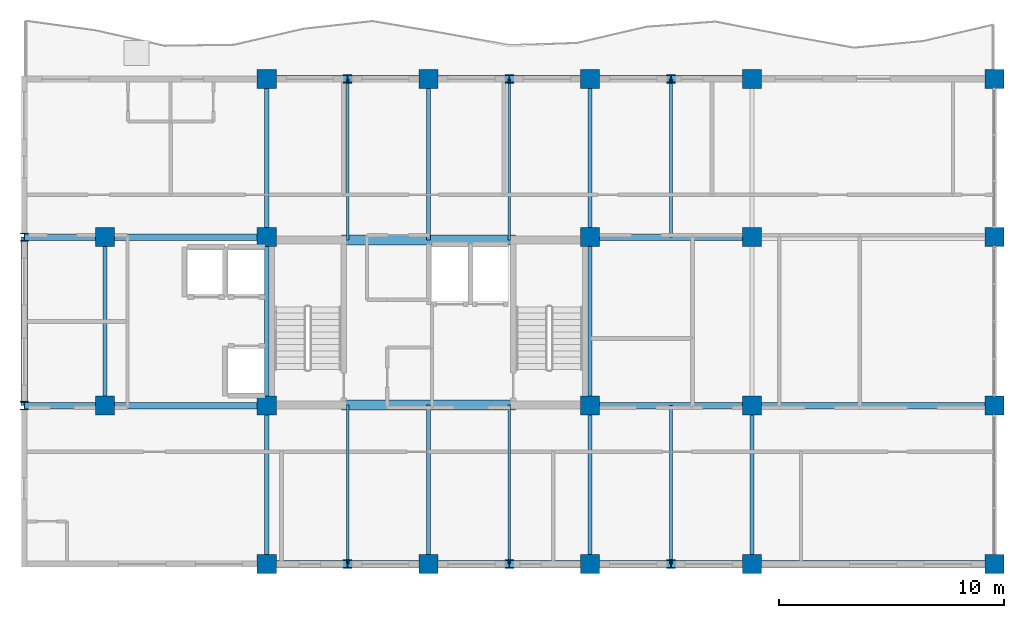
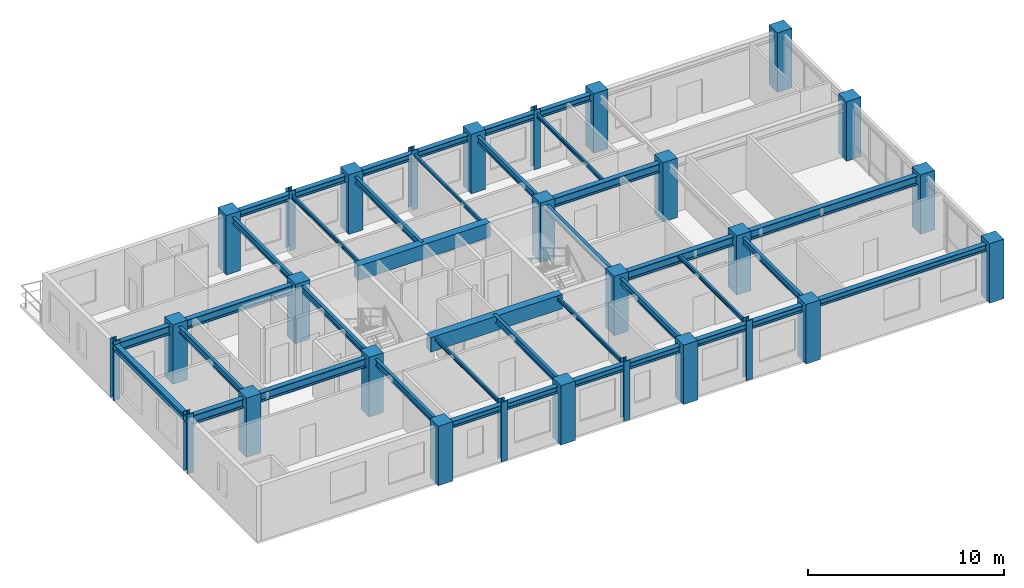
# One storey, part 1 of 11: 39 beams, 28 columns.
"""IFC4 building model written with IfcOpenShell, lengths in metres."""

from ifc_helpers import new_model, si_unit, direction, frame, origin, origin_2d, place, context, subcontext, project, spatial, rectangle, i_section, extrude, source, transform, mapped, material, material_profile, profile_set, type_object, element, save


model = new_model("IFC4")

# Units and contexts
model_context = context("Model", 3, precision=1e-05, world=origin(), true_north=direction((0.0, 1.0)))
body_context = subcontext(model_context, "Body", "Model", "MODEL_VIEW")
ifc_project = project(units=[si_unit("LENGTHUNIT", "METRE"), si_unit("AREAUNIT", "SQUARE_METRE"), si_unit("VOLUMEUNIT", "CUBIC_METRE"), si_unit("PLANEANGLEUNIT", "RADIAN"), si_unit("MASSUNIT", "GRAM", prefix="KILO")], contexts=[model_context])

# Site, building, storey
site_placement = place(None, origin())
site = spatial("IfcSite", under=ifc_project, at=site_placement, CompositionType="ELEMENT")
building_placement = place(site_placement, origin())
building = spatial("IfcBuilding", under=site, at=building_placement, Name="Kaliganga Portal Commons", CompositionType="ELEMENT")
storey_placement = place(building_placement, frame((0.0, 0.0, 268.39990234375)))
storey = spatial("IfcBuildingStorey", under=building, at=storey_placement, Name="L69", CompositionType="ELEMENT", Elevation=268.39990234375)

# Columns
ifc_material_1 = material(Name="Concrete C50/60", Category="concrete")
ifc_material_profile_1 = material_profile(ifc_material_1, rectangle(XDim=0.85009765625, YDim=0.85009765625, at=origin_2d()), Name="RC 850x850")
ifc_profile_set_1 = profile_set([ifc_material_profile_1], Name="Concrete C50/60")
column_type_1 = type_object("IfcColumnType", Name="COL-MEGA-Z5", PredefinedType="COLUMN", material=ifc_profile_set_1)
shared_shape_1 = source(origin(), body_context, "Body", "SweptSolid", [
    extrude(rectangle(XDim=0.85009765625, YDim=0.85009765625, at=origin_2d()), origin(), (0.0, 0.0, 1.0), 3.7001953125),
])
for number, where, z_axis, x_axis, name in (
    (1, (7.199951171875, 28.64990234375, 0.0), (0.0, 0.0, 1.0), (1.0, 0.0, 0.0), "Column MC-06 L69"),
    (2, (7.199951171875, 36.14990234375, 0.0), (0.0, 0.0, 1.0), (1.0, 0.0, 0.0), "Column MC-06 L69"),
    (3, (14.39990234375, 21.60009765625, 0.0), (0.0, 0.0, 1.0), (1.0, 0.0, 0.0), "Column MC-06 L69"),
    (4, (14.39990234375, 28.64990234375, 0.0), (0.0, 0.0, 1.0), (1.0, 0.0, 0.0), "Column MC-06 L69"),
    (5, (14.39990234375, 36.14990234375, 0.0), (0.0, 0.0, 1.0), (1.0, 0.0, 0.0), "Column MC-06 L69"),
    (6, (14.39990234375, 43.199951171875, 0.0), (0.0, 0.0, 1.0), (1.0, 0.0, 0.0), "Column MC-06 L69"),
    (7, (21.60009765625, 21.60009765625, 0.0), (0.0, 0.0, 1.0), (1.0, 0.0, 0.0), "Column MC-06 L69"),
    (8, (21.60009765625, 43.199951171875, 0.0), (0.0, 0.0, 1.0), (1.0, 0.0, 0.0), "Column MC-06 L69"),
    (9, (28.800048828125, 21.60009765625, 0.0), (0.0, 0.0, 1.0), (1.0, 0.0, 0.0), "Column MC-06 L69"),
    (10, (28.800048828125, 28.64990234375, 0.0), (0.0, 0.0, 1.0), (1.0, 0.0, 0.0), "Column MC-06 L69"),
    (11, (28.800048828125, 36.14990234375, 0.0), (0.0, 0.0, 1.0), (1.0, 0.0, 0.0), "Column MC-06 L69"),
    (12, (28.800048828125, 43.199951171875, 0.0), (0.0, 0.0, 1.0), (1.0, 0.0, 0.0), "Column MC-06 L69"),
    (13, (36.0, 21.60009765625, 0.0), (0.0, 0.0, 1.0), (1.0, 0.0, 0.0), "Column MC-06 L69"),
    (14, (36.0, 43.199951171875, 0.0), (0.0, 0.0, 1.0), (1.0, 0.0, 0.0), "Column MC-06 L69"),
    (15, (36.0, 28.64990234375, 0.0), (0.0, 0.0, 1.0), (1.0, 0.0, 0.0), "Column MC-06 L69"),
    (16, (36.0, 36.14990234375, 0.0), (0.0, 0.0, 1.0), (1.0, 0.0, 0.0), "Column MC-06 L69"),
    (17, (46.800048828125, 21.60009765625, 0.0), (0.0, 0.0, 1.0), (1.0, 0.0, 0.0), "Column MC-06 L69"),
    (18, (46.800048828125, 28.64990234375, 0.0), (0.0, 0.0, 1.0), (1.0, 0.0, 0.0), "Column MC-06 L69"),
    (19, (46.800048828125, 36.14990234375, 0.0), (0.0, 0.0, 1.0), (1.0, 0.0, 0.0), "Column MC-06 L69"),
    (20, (46.800048828125, 43.199951171875, 0.0), (0.0, 0.0, 1.0), (1.0, 0.0, 0.0), "Column MC-06 L69"),
):
    element("IfcColumn", number, at=place(storey_placement, frame(where, z_axis=z_axis, x_axis=x_axis)), inside=storey, type_object=column_type_1, Name=name, PredefinedType="COLUMN", context=body_context, shape_type="MappedRepresentation", body=[
        mapped(shared_shape_1, transform((0.0, 0.0, 0.0), x_axis=(1.0, 0.0, 0.0), y_axis=(0.0, 1.0, 0.0), z_axis=(0.0, 0.0, 1.0), scale=1.0)),
    ])
ifc_material_2 = material(Name="Structural steel S355J2", Category="steel")
ifc_material_profile_2 = material_profile(ifc_material_2, i_section(OverallWidth=0.3740234375, OverallDepth=0.3720703125, WebThickness=0.014892578125, FlangeThickness=0.02587890625, FilletRadius=0.014892578125, at=origin_2d()), Name="HD 360x196")
ifc_profile_set_2 = profile_set([ifc_material_profile_2], Name="Structural steel S355J2 wide-flange")
column_type_2 = type_object("IfcColumnType", Name="COL-TUBE-B5", PredefinedType="COLUMN", material=ifc_profile_set_2)
shared_shape_2 = source(origin(), body_context, "Body", "SweptSolid", [
    extrude(i_section(OverallWidth=0.3740234375, OverallDepth=0.3720703125, WebThickness=0.014892578125, FlangeThickness=0.02587890625, FilletRadius=0.014892578125, at=origin_2d()), origin(), (0.0, 0.0, 1.0), 3.7001953125),
])
for number, where, z_axis, x_axis, name in (
    (21, (3.60009765625, 28.64990234375, 0.0), (0.0, 0.0, 1.0), (1.0, 0.0, 0.0), "Column TC-05 L69"),
    (22, (3.60009765625, 36.14990234375, 0.0), (0.0, 0.0, 1.0), (1.0, 0.0, 0.0), "Column TC-05 L69"),
    (23, (18.0, 21.60009765625, 0.0), (0.0, 0.0, 1.0), (1.0, 0.0, 0.0), "Column TC-05 L69"),
    (24, (18.0, 43.199951171875, 0.0), (0.0, 0.0, 1.0), (1.0, 0.0, 0.0), "Column TC-05 L69"),
    (25, (25.199951171875, 21.60009765625, 0.0), (0.0, 0.0, 1.0), (1.0, 0.0, 0.0), "Column TC-05 L69"),
    (26, (25.199951171875, 43.199951171875, 0.0), (0.0, 0.0, 1.0), (1.0, 0.0, 0.0), "Column TC-05 L69"),
    (27, (32.39990234375, 21.60009765625, 0.0), (0.0, 0.0, 1.0), (1.0, 0.0, 0.0), "Column TC-05 L69"),
    (28, (32.39990234375, 43.199951171875, 0.0), (0.0, 0.0, 1.0), (1.0, 0.0, 0.0), "Column TC-05 L69"),
):
    element("IfcColumn", number, at=place(storey_placement, frame(where, z_axis=z_axis, x_axis=x_axis)), inside=storey, type_object=column_type_2, Name=name, PredefinedType="COLUMN", context=body_context, shape_type="MappedRepresentation", body=[
        mapped(shared_shape_2, transform((0.0, 0.0, 0.0), x_axis=(1.0, 0.0, 0.0), y_axis=(0.0, 1.0, 0.0), z_axis=(0.0, 0.0, 1.0), scale=1.0)),
    ])

# Beams
ifc_material_profile_3 = material_profile(ifc_material_1, rectangle(XDim=0.449951171875, YDim=0.89990234375, at=origin_2d()), Name="RC 450x900")
ifc_profile_set_3 = profile_set([ifc_material_profile_3], Name="Concrete C50/60")
beam_type_1 = type_object("IfcBeamType", Name="BM-CPL-900", PredefinedType="LINTEL", material=ifc_profile_set_3)
shared_shape_3 = source(origin(), body_context, "Body", "SweptSolid", [
    extrude(rectangle(XDim=0.449951171875, YDim=0.89990234375, at=origin_2d()), origin(), (0.0, 0.0, 1.0), 7.739990234375),
])
for number, where, z_axis, x_axis, name in (
    (29, (17.72998046875, 28.675048828125, 3.025146484375), (1.0, 0.0, 0.0), (0.0, 1.0, 0.0), "BM CPL COREA L69 S"),
    (30, (17.72998046875, 36.02490234375, 3.025146484375), (1.0, 0.0, 0.0), (0.0, 1.0, 0.0), "BM CPL COREA L69 N"),
):
    element("IfcBeam", number, at=place(storey_placement, frame(where, z_axis=z_axis, x_axis=x_axis)), inside=storey, type_object=beam_type_1, Name=name, PredefinedType="LINTEL", context=body_context, shape_type="MappedRepresentation", body=[
        mapped(shared_shape_3, transform((0.0, 0.0, 0.0), x_axis=(1.0, 0.0, 0.0), y_axis=(0.0, 1.0, 0.0), z_axis=(0.0, 0.0, 1.0), scale=1.0)),
    ])
ifc_material_profile_4 = material_profile(ifc_material_2, i_section(OverallWidth=0.300048828125, OverallDepth=0.39990234375, WebThickness=0.013427734375, FlangeThickness=0.02392578125, FilletRadius=0.027099609375, at=origin_2d()), Name="HE 400 B")
ifc_profile_set_4 = profile_set([ifc_material_profile_4], Name="Structural steel S355J2 wide-flange")
beam_type_2 = type_object("IfcBeamType", Name="BM-SPAND-400", PredefinedType="SPANDREL", material=ifc_profile_set_4)
shared_shape_4 = source(origin(), body_context, "Body", "SweptSolid", [
    extrude(i_section(OverallWidth=0.300048828125, OverallDepth=0.39990234375, WebThickness=0.013427734375, FlangeThickness=0.02392578125, FilletRadius=0.027099609375, at=origin_2d()), origin(), (0.0, 0.0, 1.0), 3.60009765625),
])
for number, where, z_axis, x_axis, name in (
    (31, (14.39990234375, 43.199951171875, 3.275146484375), (1.0, 0.0, 0.0), (0.0, 1.0, 0.0), "BM SP L69 AN 1"),
    (32, (18.0, 43.199951171875, 3.275146484375), (1.0, 0.0, 0.0), (0.0, 1.0, 0.0), "BM SP L69 AN 2"),
    (33, (25.199951171875, 43.199951171875, 3.275146484375), (1.0, 0.0, 0.0), (0.0, 1.0, 0.0), "BM SP L69 AN 4"),
    (34, (32.39990234375, 43.199951171875, 3.275146484375), (1.0, 0.0, 0.0), (0.0, 1.0, 0.0), "BM SP L69 AN 6"),
    (35, (14.39990234375, 21.60009765625, 3.275146484375), (1.0, 0.0, 0.0), (0.0, 1.0, 0.0), "BM SP L69 AS 1"),
    (36, (18.0, 21.60009765625, 3.275146484375), (1.0, 0.0, 0.0), (0.0, 1.0, 0.0), "BM SP L69 AS 2"),
    (37, (25.199951171875, 21.60009765625, 3.275146484375), (1.0, 0.0, 0.0), (0.0, 1.0, 0.0), "BM SP L69 AS 4"),
    (38, (32.39990234375, 21.60009765625, 3.275146484375), (1.0, 0.0, 0.0), (0.0, 1.0, 0.0), "BM SP L69 AS 6"),
):
    element("IfcBeam", number, at=place(storey_placement, frame(where, z_axis=z_axis, x_axis=x_axis)), inside=storey, type_object=beam_type_2, Name=name, PredefinedType="SPANDREL", context=body_context, shape_type="MappedRepresentation", body=[
        mapped(shared_shape_4, transform((0.0, 0.0, 0.0), x_axis=(1.0, 0.0, 0.0), y_axis=(0.0, 1.0, 0.0), z_axis=(0.0, 0.0, 1.0), scale=1.0)),
    ])
shared_shape_5 = source(origin(), body_context, "Body", "SweptSolid", [
    extrude(i_section(OverallWidth=0.300048828125, OverallDepth=0.39990234375, WebThickness=0.013427734375, FlangeThickness=0.02392578125, FilletRadius=0.027099609375, at=origin_2d()), origin(), (0.0, 0.0, 1.0), 3.599853515625),
])
for number, where, z_axis, x_axis, name in (
    (39, (21.60009765625, 43.199951171875, 3.275146484375), (1.0, 0.0, 0.0), (0.0, 1.0, 0.0), "BM SP L69 AN 3"),
    (40, (28.800048828125, 43.199951171875, 3.275146484375), (1.0, 0.0, 0.0), (0.0, 1.0, 0.0), "BM SP L69 AN 5"),
    (41, (21.60009765625, 21.60009765625, 3.275146484375), (1.0, 0.0, 0.0), (0.0, 1.0, 0.0), "BM SP L69 AS 3"),
    (42, (28.800048828125, 21.60009765625, 3.275146484375), (1.0, 0.0, 0.0), (0.0, 1.0, 0.0), "BM SP L69 AS 5"),
):
    element("IfcBeam", number, at=place(storey_placement, frame(where, z_axis=z_axis, x_axis=x_axis)), inside=storey, type_object=beam_type_2, Name=name, PredefinedType="SPANDREL", context=body_context, shape_type="MappedRepresentation", body=[
        mapped(shared_shape_5, transform((0.0, 0.0, 0.0), x_axis=(1.0, 0.0, 0.0), y_axis=(0.0, 1.0, 0.0), z_axis=(0.0, 0.0, 1.0), scale=1.0)),
    ])
shared_shape_6 = source(origin(), body_context, "Body", "SweptSolid", [
    extrude(i_section(OverallWidth=0.300048828125, OverallDepth=0.39990234375, WebThickness=0.013427734375, FlangeThickness=0.02392578125, FilletRadius=0.027099609375, at=origin_2d()), origin(), (0.0, 0.0, 1.0), 10.800048828125),
])
beam_1_placement = place(storey_placement, frame((36.0, 21.60009765625, 3.275146484375), z_axis=(1.0, 0.0, 0.0), x_axis=(0.0, 1.0, 0.0)))
element("IfcBeam", 43, at=beam_1_placement, inside=storey, type_object=beam_type_2, Name="BM SP L69 AS 7", PredefinedType="SPANDREL", context=body_context, shape_type="MappedRepresentation", body=[
    mapped(shared_shape_6, transform((0.0, 0.0, 0.0), x_axis=(1.0, 0.0, 0.0), y_axis=(0.0, 1.0, 0.0), z_axis=(0.0, 0.0, 1.0), scale=1.0)),
])
ifc_material_profile_5 = material_profile(ifc_material_2, i_section(OverallWidth=0.300048828125, OverallDepth=0.550048828125, WebThickness=0.014892578125, FlangeThickness=0.029052734375, FilletRadius=0.027099609375, at=origin_2d()), Name="HE 550 B")
ifc_profile_set_5 = profile_set([ifc_material_profile_5], Name="Structural steel S355J2 wide-flange")
beam_type_3 = type_object("IfcBeamType", Name="BM-GIRD-550", PredefinedType="USERDEFINED", material=ifc_profile_set_5)
shared_shape_7 = source(origin(), body_context, "Body", "SweptSolid", [
    extrude(i_section(OverallWidth=0.300048828125, OverallDepth=0.550048828125, WebThickness=0.014892578125, FlangeThickness=0.029052734375, FilletRadius=0.027099609375, at=origin_2d()), origin(), (0.0, 0.0, 1.0), 7.199951171875),
])
for number, where, z_axis, x_axis, name in (
    (44, (7.199951171875, 28.64990234375, 3.2001953125), (1.0, 0.0, 0.0), (0.0, 1.0, 0.0), "BM G L69 WAH_S 2"),
    (45, (7.199951171875, 36.14990234375, 3.2001953125), (1.0, 0.0, 0.0), (0.0, 1.0, 0.0), "BM G L69 WAH_N 2"),
    (46, (28.800048828125, 28.64990234375, 3.2001953125), (1.0, 0.0, 0.0), (0.0, 1.0, 0.0), "BM G L69 WAE_S 1"),
    (47, (28.800048828125, 36.14990234375, 3.2001953125), (1.0, 0.0, 0.0), (0.0, 1.0, 0.0), "BM G L69 WAE_N 1"),
):
    element("IfcBeam", number, at=place(storey_placement, frame(where, z_axis=z_axis, x_axis=x_axis)), inside=storey, type_object=beam_type_3, Name=name, ObjectType="GIRDER", PredefinedType="USERDEFINED", context=body_context, shape_type="MappedRepresentation", body=[
        mapped(shared_shape_7, transform((0.0, 0.0, 0.0), x_axis=(1.0, 0.0, 0.0), y_axis=(0.0, 1.0, 0.0), z_axis=(0.0, 0.0, 1.0), scale=1.0)),
    ])
shared_shape_8 = source(origin(), body_context, "Body", "SweptSolid", [
    extrude(i_section(OverallWidth=0.300048828125, OverallDepth=0.550048828125, WebThickness=0.014892578125, FlangeThickness=0.029052734375, FilletRadius=0.027099609375, at=origin_2d()), origin(), (0.0, 0.0, 1.0), 10.800048828125),
])
beam_2_placement = place(storey_placement, frame((36.0, 28.64990234375, 3.2001953125), z_axis=(1.0, 0.0, 0.0), x_axis=(0.0, 1.0, 0.0)))
element("IfcBeam", 48, at=beam_2_placement, inside=storey, type_object=beam_type_3, Name="BM G L69 WAE_S 2", ObjectType="GIRDER", PredefinedType="USERDEFINED", context=body_context, shape_type="MappedRepresentation", body=[
    mapped(shared_shape_8, transform((0.0, 0.0, 0.0), x_axis=(1.0, 0.0, 0.0), y_axis=(0.0, 1.0, 0.0), z_axis=(0.0, 0.0, 1.0), scale=1.0)),
])
shared_shape_9 = source(origin(), body_context, "Body", "SweptSolid", [
    extrude(i_section(OverallWidth=0.300048828125, OverallDepth=0.550048828125, WebThickness=0.014892578125, FlangeThickness=0.029052734375, FilletRadius=0.027099609375, at=origin_2d()), origin(), (0.0, 0.0, 1.0), 3.599853515625),
])
for number, where, z_axis, x_axis, name in (
    (49, (3.60009765625, 28.64990234375, 3.2001953125), (1.0, 0.0, 0.0), (0.0, 1.0, 0.0), "BM G L69 WAH_S 1"),
    (50, (3.60009765625, 36.14990234375, 3.2001953125), (1.0, 0.0, 0.0), (0.0, 1.0, 0.0), "BM G L69 WAH_N 1"),
):
    element("IfcBeam", number, at=place(storey_placement, frame(where, z_axis=z_axis, x_axis=x_axis)), inside=storey, type_object=beam_type_3, Name=name, ObjectType="GIRDER", PredefinedType="USERDEFINED", context=body_context, shape_type="MappedRepresentation", body=[
        mapped(shared_shape_9, transform((0.0, 0.0, 0.0), x_axis=(1.0, 0.0, 0.0), y_axis=(0.0, 1.0, 0.0), z_axis=(0.0, 0.0, 1.0), scale=1.0)),
    ])
shared_shape_10 = source(origin(), body_context, "Body", "SweptSolid", [
    extrude(i_section(OverallWidth=0.300048828125, OverallDepth=0.39990234375, WebThickness=0.013427734375, FlangeThickness=0.02392578125, FilletRadius=0.027099609375, at=origin_2d()), origin(), (0.0, 0.0, 1.0), 7.5),
])
beam_3_placement = place(storey_placement, frame((3.60009765625, 28.64990234375, 3.275146484375), z_axis=(0.0, 1.0, 0.0), x_axis=(-1.0, 0.0, 0.0)))
element("IfcBeam", 51, at=beam_3_placement, inside=storey, type_object=beam_type_2, Name="BM SP L69 AW", PredefinedType="SPANDREL", context=body_context, shape_type="MappedRepresentation", body=[
    mapped(shared_shape_10, transform((0.0, 0.0, 0.0), x_axis=(1.0, 0.0, 0.0), y_axis=(0.0, 1.0, 0.0), z_axis=(0.0, 0.0, 1.0), scale=1.0)),
])
ifc_material_profile_6 = material_profile(ifc_material_2, i_section(OverallWidth=0.179931640625, OverallDepth=0.39990234375, WebThickness=0.008544921875, FlangeThickness=0.013427734375, FilletRadius=0.02099609375, at=origin_2d()), Name="IPE 400")
ifc_profile_set_6 = profile_set([ifc_material_profile_6], Name="Structural steel S355J2 wide-flange")
beam_type_4 = type_object("IfcBeamType", Name="BM-FLR-400", PredefinedType="BEAM", material=ifc_profile_set_6)
shared_shape_11 = source(origin(), body_context, "Body", "SweptSolid", [
    extrude(i_section(OverallWidth=0.179931640625, OverallDepth=0.39990234375, WebThickness=0.008544921875, FlangeThickness=0.013427734375, FilletRadius=0.02099609375, at=origin_2d()), origin(), (0.0, 0.0, 1.0), 7.5),
])
for number, where, z_axis, x_axis, name in (
    (52, (7.199951171875, 28.64990234375, 3.275146484375), (0.0, 1.0, 0.0), (-1.0, 0.0, 0.0), "BM G L69 AW72"),
    (53, (14.39990234375, 28.64990234375, 3.275146484375), (0.0, 1.0, 0.0), (-1.0, 0.0, 0.0), "BM G L69 AM144"),
    (54, (28.800048828125, 28.64990234375, 3.275146484375), (0.0, 1.0, 0.0), (-1.0, 0.0, 0.0), "BM G L69 AM288"),
):
    element("IfcBeam", number, at=place(storey_placement, frame(where, z_axis=z_axis, x_axis=x_axis)), inside=storey, type_object=beam_type_4, Name=name, PredefinedType="BEAM", context=body_context, shape_type="MappedRepresentation", body=[
        mapped(shared_shape_11, transform((0.0, 0.0, 0.0), x_axis=(1.0, 0.0, 0.0), y_axis=(0.0, 1.0, 0.0), z_axis=(0.0, 0.0, 1.0), scale=1.0)),
    ])
shared_shape_12 = source(origin(), body_context, "Body", "SweptSolid", [
    extrude(i_section(OverallWidth=0.179931640625, OverallDepth=0.39990234375, WebThickness=0.008544921875, FlangeThickness=0.013427734375, FilletRadius=0.02099609375, at=origin_2d()), origin(), (0.0, 0.0, 1.0), 7.050048828125),
])
for number, where, z_axis, x_axis, name in (
    (55, (14.39990234375, 36.14990234375, 3.275146484375), (0.0, 1.0, 0.0), (-1.0, 0.0, 0.0), "BM G L69 AN144"),
    (56, (28.800048828125, 36.14990234375, 3.275146484375), (0.0, 1.0, 0.0), (-1.0, 0.0, 0.0), "BM G L69 AN288"),
):
    element("IfcBeam", number, at=place(storey_placement, frame(where, z_axis=z_axis, x_axis=x_axis)), inside=storey, type_object=beam_type_4, Name=name, PredefinedType="BEAM", context=body_context, shape_type="MappedRepresentation", body=[
        mapped(shared_shape_12, transform((0.0, 0.0, 0.0), x_axis=(1.0, 0.0, 0.0), y_axis=(0.0, 1.0, 0.0), z_axis=(0.0, 0.0, 1.0), scale=1.0)),
    ])
shared_shape_13 = source(origin(), body_context, "Body", "SweptSolid", [
    extrude(i_section(OverallWidth=0.179931640625, OverallDepth=0.39990234375, WebThickness=0.008544921875, FlangeThickness=0.013427734375, FilletRadius=0.02099609375, at=origin_2d()), origin(), (0.0, 0.0, 1.0), 7.0498046875),
])
for number, where, z_axis, x_axis, name in (
    (57, (14.39990234375, 21.60009765625, 3.275146484375), (0.0, 1.0, 0.0), (-1.0, 0.0, 0.0), "BM G L69 AS144"),
    (58, (28.800048828125, 21.60009765625, 3.275146484375), (0.0, 1.0, 0.0), (-1.0, 0.0, 0.0), "BM G L69 AS288"),
    (59, (36.0, 21.60009765625, 3.275146484375), (0.0, 1.0, 0.0), (-1.0, 0.0, 0.0), "BM G L69 AS360"),
):
    element("IfcBeam", number, at=place(storey_placement, frame(where, z_axis=z_axis, x_axis=x_axis)), inside=storey, type_object=beam_type_4, Name=name, PredefinedType="BEAM", context=body_context, shape_type="MappedRepresentation", body=[
        mapped(shared_shape_13, transform((0.0, 0.0, 0.0), x_axis=(1.0, 0.0, 0.0), y_axis=(0.0, 1.0, 0.0), z_axis=(0.0, 0.0, 1.0), scale=1.0)),
    ])
shared_shape_14 = source(origin(), body_context, "Body", "SweptSolid", [
    extrude(i_section(OverallWidth=0.179931640625, OverallDepth=0.39990234375, WebThickness=0.008544921875, FlangeThickness=0.013427734375, FilletRadius=0.02099609375, at=origin_2d()), origin(), (0.0, 0.0, 1.0), 7.175048828125),
])
beam_4_placement = place(storey_placement, frame((21.60009765625, 36.02490234375, 3.275146484375), z_axis=(0.0, 1.0, 0.0), x_axis=(-1.0, 0.0, 0.0)))
element("IfcBeam", 60, at=beam_4_placement, inside=storey, type_object=beam_type_4, Name="BM G L69 AN216", PredefinedType="BEAM", context=body_context, shape_type="MappedRepresentation", body=[
    mapped(shared_shape_14, transform((0.0, 0.0, 0.0), x_axis=(1.0, 0.0, 0.0), y_axis=(0.0, 1.0, 0.0), z_axis=(0.0, 0.0, 1.0), scale=1.0)),
])
shared_shape_15 = source(origin(), body_context, "Body", "SweptSolid", [
    extrude(i_section(OverallWidth=0.179931640625, OverallDepth=0.39990234375, WebThickness=0.008544921875, FlangeThickness=0.013427734375, FilletRadius=0.02099609375, at=origin_2d()), origin(), (0.0, 0.0, 1.0), 7.074951171875),
])
beam_5_placement = place(storey_placement, frame((21.60009765625, 21.60009765625, 3.275146484375), z_axis=(0.0, 1.0, 0.0), x_axis=(-1.0, 0.0, 0.0)))
element("IfcBeam", 61, at=beam_5_placement, inside=storey, type_object=beam_type_4, Name="BM G L69 AS216", PredefinedType="BEAM", context=body_context, shape_type="MappedRepresentation", body=[
    mapped(shared_shape_15, transform((0.0, 0.0, 0.0), x_axis=(1.0, 0.0, 0.0), y_axis=(0.0, 1.0, 0.0), z_axis=(0.0, 0.0, 1.0), scale=1.0)),
])
ifc_material_profile_7 = material_profile(ifc_material_2, i_section(OverallWidth=0.1201171875, OverallDepth=0.239990234375, WebThickness=0.006103515625, FlangeThickness=0.009765625, FilletRadius=0.014892578125, at=origin_2d()), Name="IPE 240")
ifc_profile_set_7 = profile_set([ifc_material_profile_7], Name="Structural steel S355J2 wide-flange")
beam_type_5 = type_object("IfcBeamType", Name="BM-JST-240", PredefinedType="JOIST", material=ifc_profile_set_7)
shared_shape_16 = source(origin(), body_context, "Body", "SweptSolid", [
    extrude(i_section(OverallWidth=0.1201171875, OverallDepth=0.239990234375, WebThickness=0.006103515625, FlangeThickness=0.009765625, FilletRadius=0.014892578125, at=origin_2d()), origin(), (0.0, 0.0, 1.0), 7.175048828125),
])
for number, where, z_axis, x_axis, name in (
    (62, (18.0, 36.02490234375, 3.35498046875), (0.0, 1.0, 0.0), (-1.0, 0.0, 0.0), "BM G L69 AN180"),
    (63, (25.199951171875, 36.02490234375, 3.35498046875), (0.0, 1.0, 0.0), (-1.0, 0.0, 0.0), "BM G L69 AN252"),
):
    element("IfcBeam", number, at=place(storey_placement, frame(where, z_axis=z_axis, x_axis=x_axis)), inside=storey, type_object=beam_type_5, Name=name, PredefinedType="JOIST", context=body_context, shape_type="MappedRepresentation", body=[
        mapped(shared_shape_16, transform((0.0, 0.0, 0.0), x_axis=(1.0, 0.0, 0.0), y_axis=(0.0, 1.0, 0.0), z_axis=(0.0, 0.0, 1.0), scale=1.0)),
    ])
shared_shape_17 = source(origin(), body_context, "Body", "SweptSolid", [
    extrude(i_section(OverallWidth=0.1201171875, OverallDepth=0.239990234375, WebThickness=0.006103515625, FlangeThickness=0.009765625, FilletRadius=0.014892578125, at=origin_2d()), origin(), (0.0, 0.0, 1.0), 7.074951171875),
])
for number, where, z_axis, x_axis, name in (
    (64, (18.0, 21.60009765625, 3.35498046875), (0.0, 1.0, 0.0), (-1.0, 0.0, 0.0), "BM G L69 AS180"),
    (65, (25.199951171875, 21.60009765625, 3.35498046875), (0.0, 1.0, 0.0), (-1.0, 0.0, 0.0), "BM G L69 AS252"),
):
    element("IfcBeam", number, at=place(storey_placement, frame(where, z_axis=z_axis, x_axis=x_axis)), inside=storey, type_object=beam_type_5, Name=name, PredefinedType="JOIST", context=body_context, shape_type="MappedRepresentation", body=[
        mapped(shared_shape_17, transform((0.0, 0.0, 0.0), x_axis=(1.0, 0.0, 0.0), y_axis=(0.0, 1.0, 0.0), z_axis=(0.0, 0.0, 1.0), scale=1.0)),
    ])
shared_shape_18 = source(origin(), body_context, "Body", "SweptSolid", [
    extrude(i_section(OverallWidth=0.1201171875, OverallDepth=0.239990234375, WebThickness=0.006103515625, FlangeThickness=0.009765625, FilletRadius=0.014892578125, at=origin_2d()), origin(), (0.0, 0.0, 1.0), 7.050048828125),
])
beam_6_placement = place(storey_placement, frame((32.39990234375, 36.14990234375, 3.35498046875), z_axis=(0.0, 1.0, 0.0), x_axis=(-1.0, 0.0, 0.0)))
element("IfcBeam", 66, at=beam_6_placement, inside=storey, type_object=beam_type_5, Name="BM G L69 AN324", PredefinedType="JOIST", context=body_context, shape_type="MappedRepresentation", body=[
    mapped(shared_shape_18, transform((0.0, 0.0, 0.0), x_axis=(1.0, 0.0, 0.0), y_axis=(0.0, 1.0, 0.0), z_axis=(0.0, 0.0, 1.0), scale=1.0)),
])
shared_shape_19 = source(origin(), body_context, "Body", "SweptSolid", [
    extrude(i_section(OverallWidth=0.1201171875, OverallDepth=0.239990234375, WebThickness=0.006103515625, FlangeThickness=0.009765625, FilletRadius=0.014892578125, at=origin_2d()), origin(), (0.0, 0.0, 1.0), 7.0498046875),
])
beam_7_placement = place(storey_placement, frame((32.39990234375, 21.60009765625, 3.35498046875), z_axis=(0.0, 1.0, 0.0), x_axis=(-1.0, 0.0, 0.0)))
element("IfcBeam", 67, at=beam_7_placement, inside=storey, type_object=beam_type_5, Name="BM G L69 AS324", PredefinedType="JOIST", context=body_context, shape_type="MappedRepresentation", body=[
    mapped(shared_shape_19, transform((0.0, 0.0, 0.0), x_axis=(1.0, 0.0, 0.0), y_axis=(0.0, 1.0, 0.0), z_axis=(0.0, 0.0, 1.0), scale=1.0)),
])

save(model, "model.ifc")
